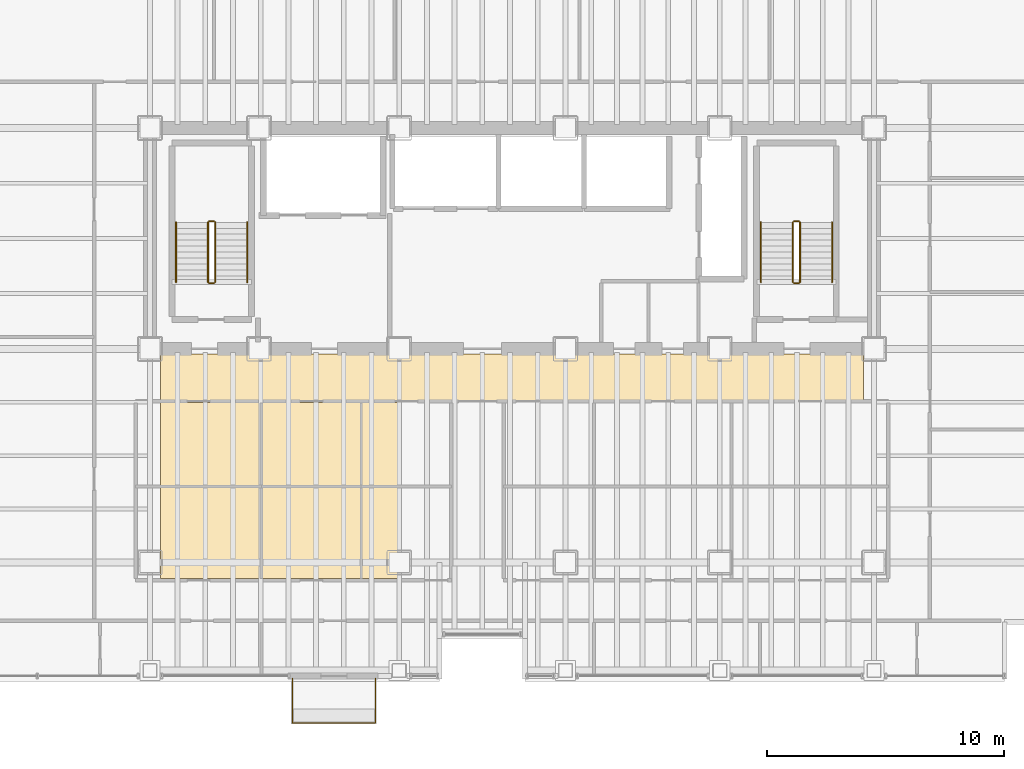
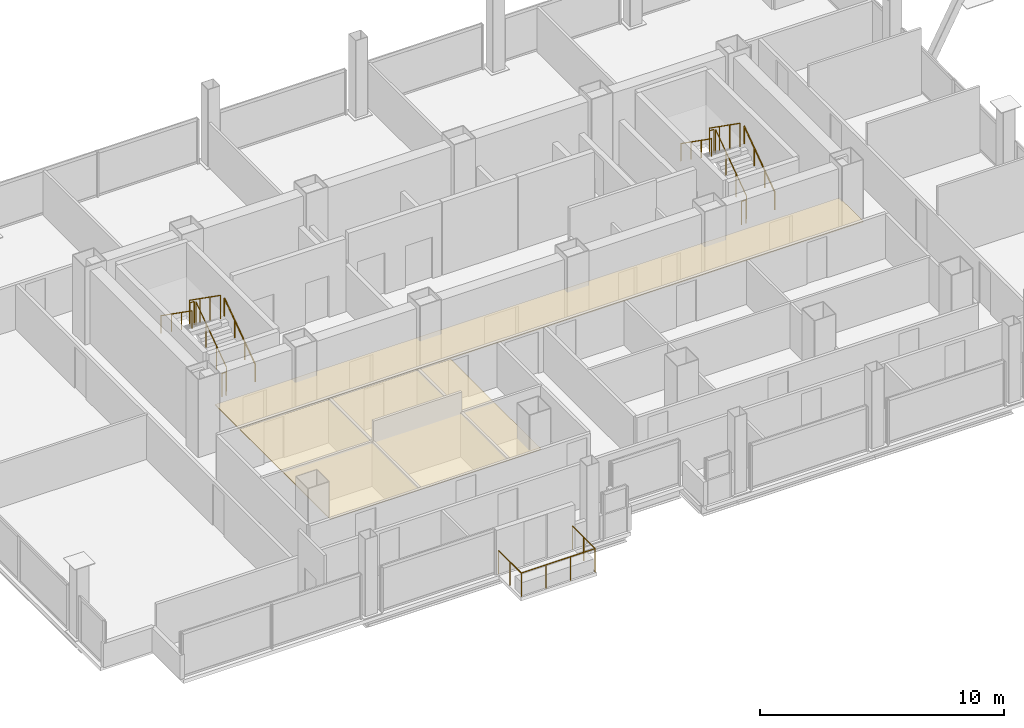
# One storey, part 21 of 21: 13 railings, 2 coverings.
"""IFC4 building model written with IfcOpenShell, lengths in metres."""

from ifc_helpers import new_model, si_unit, direction, frame, origin, origin_2d, place, context, subcontext, project, spatial, polyline, circle, outline, extrude, material, layer, layer_set, type_object, element, save


model = new_model("IFC4")

# Units and contexts
model_context = context("Model", 3, precision=1e-05, world=origin(), true_north=direction((0.0, 1.0)))
body_context = subcontext(model_context, "Body", "Model", "MODEL_VIEW")
ifc_project = project(units=[si_unit("LENGTHUNIT", "METRE"), si_unit("AREAUNIT", "SQUARE_METRE"), si_unit("VOLUMEUNIT", "CUBIC_METRE"), si_unit("PLANEANGLEUNIT", "RADIAN"), si_unit("MASSUNIT", "GRAM", prefix="KILO")], contexts=[model_context])

# Site, building, storey
site_placement = place(None, origin())
site = spatial("IfcSite", under=ifc_project, at=site_placement, CompositionType="ELEMENT")
building_placement = place(site_placement, origin())
building = spatial("IfcBuilding", under=site, at=building_placement, Name="Noeulbin Bourse Tower", CompositionType="ELEMENT")
storey_placement = place(building_placement, frame((0.0, 0.0, 49.89990234375)))
storey = spatial("IfcBuildingStorey", under=building, at=storey_placement, Name="L12", CompositionType="ELEMENT", Elevation=49.89990234375)

# Coverings
ifc_material_1 = material(Name="Perforated Mineral-Fibre Acoustic Tile")
ifc_layer_1 = layer(ifc_material_1, 0.0400390625)
ifc_layer_set_1 = layer_set([ifc_layer_1], Name="Perforated Mineral-Fibre Acoustic Tile")
covering_type = type_object("IfcCoveringType", Name="COV-CEIL-ACT", PredefinedType="CEILING", material=ifc_layer_set_1)
covering_1_placement = place(storey_placement, frame((0.0, 0.0, 2.110107421875)))
element("IfcCovering", 1, at=covering_1_placement, inside=storey, type_object=covering_type, Name="Corridor Suspended Ceiling L12", PredefinedType="CEILING", context=body_context, shape_type="SweptSolid", body=[
    extrude(outline(polyline([(13.949951171875, 26.820068359375), (43.550048828125, 26.820068359375), (43.550048828125, 28.780029296875), (13.949951171875, 28.780029296875), (13.949951171875, 26.820068359375)])), origin(), (0.0, 0.0, 1.0), 0.0400390625),
])
covering_2_placement = place(storey_placement, frame((0.0, 0.0, 2.110107421875)))
element("IfcCovering", 2, at=covering_2_placement, inside=storey, type_object=covering_type, Name="Trading Suite Acoustic Ceiling L12", PredefinedType="CEILING", context=body_context, shape_type="SweptSolid", body=[
    extrude(outline(polyline([(13.949951171875, 19.320068359375), (23.949951171875, 19.320068359375), (23.949951171875, 26.75), (13.949951171875, 26.75), (13.949951171875, 19.320068359375)])), origin(), (0.0, 0.0, 1.0), 0.0400390625),
])

# Railings
ifc_material_2 = material(Name="Laminated SentryGlas and Stainless Steel 316", Category="steel")
ifc_layer_2 = layer(ifc_material_2, 0.06005859375)
ifc_layer_set_2 = layer_set([ifc_layer_2], Name="Laminated SentryGlas and Stainless Steel 316")
railing_type_1 = type_object("IfcRailingType", Name="RLG-BAL-1200", PredefinedType="BALUSTRADE", material=ifc_layer_set_2)
railing_1_placement = place(storey_placement, frame((19.5, 15.1201171875, 0.0)))
element("IfcRailing", 3, at=railing_1_placement, inside=storey, type_object=railing_type_1, Name="Tree-Balcony Glazed Balustrade L12", PredefinedType="BALUSTRADE", context=body_context, shape_type="SweptSolid", body=[
    extrude(circle(Radius=0.02392578125, at=origin_2d()), frame((0.0, 0.0, 1.17578125), z_axis=(0.0, -1.0, 0.0), x_axis=(1.0, 0.0, 0.0)), (0.0, 0.0, 1.0), 1.8701171875),
    extrude(circle(Radius=0.02392578125, at=origin_2d()), frame((0.0, -1.8701171875, 1.17578125), z_axis=(1.0, 0.0, 0.0), x_axis=(0.0, 1.0, 0.0)), (0.0, 0.0, 1.0), 3.5),
    extrude(circle(Radius=0.02392578125, at=origin_2d()), frame((3.5, -1.8701171875, 1.17578125), z_axis=(0.0, 1.0, 0.0), x_axis=(-1.0, 0.0, 0.0)), (0.0, 0.0, 1.0), 1.8701171875),
    extrude(circle(Radius=0.02099609375, at=origin_2d()), origin(), (0.0, 0.0, 1.0), 1.15185546875),
    extrude(circle(Radius=0.02099609375, at=origin_2d()), frame((0.0, -0.93505859375, 0.0)), (0.0, 0.0, 1.0), 1.15185546875),
    extrude(circle(Radius=0.02099609375, at=origin_2d()), frame((0.0, -1.8701171875, 0.0)), (0.0, 0.0, 1.0), 1.15185546875),
    extrude(circle(Radius=0.02099609375, at=origin_2d()), frame((1.166748046875, -1.8701171875, 0.0)), (0.0, 0.0, 1.0), 1.15185546875),
    extrude(circle(Radius=0.02099609375, at=origin_2d()), frame((2.333251953125, -1.8701171875, 0.0)), (0.0, 0.0, 1.0), 1.15185546875),
    extrude(circle(Radius=0.02099609375, at=origin_2d()), frame((3.5, -1.8701171875, 0.0)), (0.0, 0.0, 1.0), 1.15185546875),
    extrude(circle(Radius=0.02099609375, at=origin_2d()), frame((3.5, -0.93505859375, 0.0)), (0.0, 0.0, 1.0), 1.15185546875),
    extrude(circle(Radius=0.02099609375, at=origin_2d()), frame((3.5, 0.0, 0.0)), (0.0, 0.0, 1.0), 1.15185546875),
])
ifc_material_3 = material(Name="Painted Tubular Steel S355", Category="steel")
ifc_layer_3 = layer(ifc_material_3, 0.048095703125)
ifc_layer_set_3 = layer_set([ifc_layer_3], Name="Painted Tubular Steel S355")
railing_type_2 = type_object("IfcRailingType", Name="RLG-STR-GRD", PredefinedType="GUARDRAIL", material=ifc_layer_set_3)
railing_2_placement = place(storey_placement, frame((16.25, 31.81005859375, 0.177490234375)))
element("IfcRailing", 4, at=railing_2_placement, inside=storey, type_object=railing_type_2, Name="L12 ST-1 stair guard 1", PredefinedType="GUARDRAIL", context=body_context, shape_type="SweptSolid", body=[
    extrude(circle(Radius=0.02392578125, at=origin_2d()), frame((0.0, 0.0, 1.17578125), z_axis=(0.0, 0.817904474719, 0.575354039036), x_axis=(-1.0, 0.0, 0.0)), (0.0, 0.0, 1.0), 3.0810546875),
    extrude(circle(Radius=0.02099609375, at=origin_2d()), origin(), (0.0, 0.0, 1.0), 1.15185546875),
    extrude(circle(Radius=0.02099609375, at=origin_2d()), frame((0.0, 0.840087890625, 0.5908203125)), (0.0, 0.0, 1.0), 1.15185546875),
    extrude(circle(Radius=0.02099609375, at=origin_2d()), frame((0.0, 1.679931640625, 1.181884765625)), (0.0, 0.0, 1.0), 1.15185546875),
    extrude(circle(Radius=0.02099609375, at=origin_2d()), frame((0.0, 2.52001953125, 1.772705078125)), (0.0, 0.0, 1.0), 1.15185546875),
])
railing_3_placement = place(storey_placement, frame((16.199951171875, 34.3798828125, 1.9501953125)))
element("IfcRailing", 5, at=railing_3_placement, inside=storey, type_object=railing_type_2, Name="L12 ST-1 stair guard 2", PredefinedType="GUARDRAIL", context=body_context, shape_type="SweptSolid", body=[
    extrude(circle(Radius=0.02392578125, at=origin_2d()), frame((0.0, 0.0, 1.17578125), z_axis=(-1.0, 0.0, 0.0), x_axis=(0.0, -1.0, 0.0)), (0.0, 0.0, 1.0), 0.199951171875),
    extrude(circle(Radius=0.02099609375, at=origin_2d()), origin(), (0.0, 0.0, 1.0), 1.15185546875),
    extrude(circle(Radius=0.02099609375, at=origin_2d()), frame((-0.199951171875, 0.0, 0.0)), (0.0, 0.0, 1.0), 1.15185546875),
])
railing_4_placement = place(storey_placement, frame((15.949951171875, 34.330078125, 2.12744140625)))
element("IfcRailing", 6, at=railing_4_placement, inside=storey, type_object=railing_type_2, Name="L12 ST-1 stair guard 3", PredefinedType="GUARDRAIL", context=body_context, shape_type="SweptSolid", body=[
    extrude(circle(Radius=0.02392578125, at=origin_2d()), frame((0.0, 0.0, 1.17578125), z_axis=(0.0, -0.817904474719, 0.575354039036), x_axis=(1.0, 0.0, 0.0)), (0.0, 0.0, 1.0), 3.0810546875),
    extrude(circle(Radius=0.02099609375, at=origin_2d()), origin(), (0.0, 0.0, 1.0), 1.15185546875),
    extrude(circle(Radius=0.02099609375, at=origin_2d()), frame((0.0, -0.840087890625, 0.5908203125)), (0.0, 0.0, 1.0), 1.15185546875),
    extrude(circle(Radius=0.02099609375, at=origin_2d()), frame((0.0, -1.679931640625, 1.181884765625)), (0.0, 0.0, 1.0), 1.15185546875),
    extrude(circle(Radius=0.02099609375, at=origin_2d()), frame((0.0, -2.52001953125, 1.772705078125)), (0.0, 0.0, 1.0), 1.15185546875),
])
railing_5_placement = place(storey_placement, frame((16.199951171875, 31.760009765625, 0.0)))
element("IfcRailing", 7, at=railing_5_placement, inside=storey, type_object=railing_type_2, Name="L12 ST-1 stair guard 4", PredefinedType="GUARDRAIL", context=body_context, shape_type="SweptSolid", body=[
    extrude(circle(Radius=0.02392578125, at=origin_2d()), frame((0.0, 0.0, 1.17578125), z_axis=(-1.0, 0.0, 0.0), x_axis=(0.0, -1.0, 0.0)), (0.0, 0.0, 1.0), 0.199951171875),
    extrude(circle(Radius=0.02099609375, at=origin_2d()), origin(), (0.0, 0.0, 1.0), 1.15185546875),
    extrude(circle(Radius=0.02099609375, at=origin_2d()), frame((-0.199951171875, 0.0, 0.0)), (0.0, 0.0, 1.0), 1.15185546875),
])
railing_6_placement = place(storey_placement, frame((40.8798828125, 31.81005859375, 0.177490234375)))
element("IfcRailing", 8, at=railing_6_placement, inside=storey, type_object=railing_type_2, Name="L12 ST-2 stair guard 1", PredefinedType="GUARDRAIL", context=body_context, shape_type="SweptSolid", body=[
    extrude(circle(Radius=0.02392578125, at=origin_2d()), frame((0.0, 0.0, 1.17578125), z_axis=(0.0, 0.817904474719, 0.575354039036), x_axis=(-1.0, 0.0, 0.0)), (0.0, 0.0, 1.0), 3.0810546875),
    extrude(circle(Radius=0.02099609375, at=origin_2d()), origin(), (0.0, 0.0, 1.0), 1.15185546875),
    extrude(circle(Radius=0.02099609375, at=origin_2d()), frame((0.0, 0.840087890625, 0.5908203125)), (0.0, 0.0, 1.0), 1.15185546875),
    extrude(circle(Radius=0.02099609375, at=origin_2d()), frame((0.0, 1.679931640625, 1.181884765625)), (0.0, 0.0, 1.0), 1.15185546875),
    extrude(circle(Radius=0.02099609375, at=origin_2d()), frame((0.0, 2.52001953125, 1.772705078125)), (0.0, 0.0, 1.0), 1.15185546875),
])
railing_7_placement = place(storey_placement, frame((40.830078125, 34.3798828125, 1.9501953125)))
element("IfcRailing", 9, at=railing_7_placement, inside=storey, type_object=railing_type_2, Name="L12 ST-2 stair guard 2", PredefinedType="GUARDRAIL", context=body_context, shape_type="SweptSolid", body=[
    extrude(circle(Radius=0.02392578125, at=origin_2d()), frame((0.0, 0.0, 1.17578125), z_axis=(-1.0, 0.0, 0.0), x_axis=(0.0, -1.0, 0.0)), (0.0, 0.0, 1.0), 0.2001953125),
    extrude(circle(Radius=0.02099609375, at=origin_2d()), origin(), (0.0, 0.0, 1.0), 1.15185546875),
    extrude(circle(Radius=0.02099609375, at=origin_2d()), frame((-0.2001953125, 0.0, 0.0)), (0.0, 0.0, 1.0), 1.15185546875),
])
railing_8_placement = place(storey_placement, frame((40.580078125, 34.330078125, 2.12744140625)))
element("IfcRailing", 10, at=railing_8_placement, inside=storey, type_object=railing_type_2, Name="L12 ST-2 stair guard 3", PredefinedType="GUARDRAIL", context=body_context, shape_type="SweptSolid", body=[
    extrude(circle(Radius=0.02392578125, at=origin_2d()), frame((0.0, 0.0, 1.17578125), z_axis=(0.0, -0.817904474719, 0.575354039036), x_axis=(1.0, 0.0, 0.0)), (0.0, 0.0, 1.0), 3.0810546875),
    extrude(circle(Radius=0.02099609375, at=origin_2d()), origin(), (0.0, 0.0, 1.0), 1.15185546875),
    extrude(circle(Radius=0.02099609375, at=origin_2d()), frame((0.0, -0.840087890625, 0.5908203125)), (0.0, 0.0, 1.0), 1.15185546875),
    extrude(circle(Radius=0.02099609375, at=origin_2d()), frame((0.0, -1.679931640625, 1.181884765625)), (0.0, 0.0, 1.0), 1.15185546875),
    extrude(circle(Radius=0.02099609375, at=origin_2d()), frame((0.0, -2.52001953125, 1.772705078125)), (0.0, 0.0, 1.0), 1.15185546875),
])
railing_9_placement = place(storey_placement, frame((40.830078125, 31.760009765625, 0.0)))
element("IfcRailing", 11, at=railing_9_placement, inside=storey, type_object=railing_type_2, Name="L12 ST-2 stair guard 4", PredefinedType="GUARDRAIL", context=body_context, shape_type="SweptSolid", body=[
    extrude(circle(Radius=0.02392578125, at=origin_2d()), frame((0.0, 0.0, 1.17578125), z_axis=(-1.0, 0.0, 0.0), x_axis=(0.0, -1.0, 0.0)), (0.0, 0.0, 1.0), 0.2001953125),
    extrude(circle(Radius=0.02099609375, at=origin_2d()), origin(), (0.0, 0.0, 1.0), 1.15185546875),
    extrude(circle(Radius=0.02099609375, at=origin_2d()), frame((-0.2001953125, 0.0, 0.0)), (0.0, 0.0, 1.0), 1.15185546875),
])
ifc_material_4 = material(Name="Brushed Stainless Steel 316", Category="steel")
ifc_layer_4 = layer(ifc_material_4, 0.048095703125)
ifc_layer_set_4 = layer_set([ifc_layer_4], Name="Brushed Stainless Steel 316")
railing_type_3 = type_object("IfcRailingType", Name="RLG-STR-HND", PredefinedType="HANDRAIL", material=ifc_layer_set_4)
railing_10_placement = place(storey_placement, frame((17.60009765625, 31.81005859375, 0.177490234375)))
element("IfcRailing", 12, at=railing_10_placement, inside=storey, type_object=railing_type_3, Name="L12 ST-1 stair handrail 1", PredefinedType="HANDRAIL", context=body_context, shape_type="SweptSolid", body=[
    extrude(circle(Radius=0.02392578125, at=origin_2d()), frame((0.0, 0.0, 0.8759765625), z_axis=(0.0, 0.817904474719, 0.575354039036), x_axis=(-1.0, 0.0, 0.0)), (0.0, 0.0, 1.0), 3.0810546875),
    extrude(circle(Radius=0.02099609375, at=origin_2d()), origin(), (0.0, 0.0, 1.0), 0.851806640625),
    extrude(circle(Radius=0.02099609375, at=origin_2d()), frame((0.0, 0.840087890625, 0.5908203125)), (0.0, 0.0, 1.0), 0.851806640625),
    extrude(circle(Radius=0.02099609375, at=origin_2d()), frame((0.0, 1.679931640625, 1.181884765625)), (0.0, 0.0, 1.0), 0.851806640625),
    extrude(circle(Radius=0.02099609375, at=origin_2d()), frame((0.0, 2.52001953125, 1.772705078125)), (0.0, 0.0, 1.0), 0.851806640625),
])
railing_11_placement = place(storey_placement, frame((14.60009765625, 34.330078125, 2.12744140625)))
element("IfcRailing", 13, at=railing_11_placement, inside=storey, type_object=railing_type_3, Name="L12 ST-1 stair handrail 2", PredefinedType="HANDRAIL", context=body_context, shape_type="SweptSolid", body=[
    extrude(circle(Radius=0.02392578125, at=origin_2d()), frame((0.0, 0.0, 0.8759765625), z_axis=(0.0, -0.817904474719, 0.575354039036), x_axis=(1.0, 0.0, 0.0)), (0.0, 0.0, 1.0), 3.0810546875),
    extrude(circle(Radius=0.02099609375, at=origin_2d()), origin(), (0.0, 0.0, 1.0), 0.851806640625),
    extrude(circle(Radius=0.02099609375, at=origin_2d()), frame((0.0, -0.840087890625, 0.5908203125)), (0.0, 0.0, 1.0), 0.851806640625),
    extrude(circle(Radius=0.02099609375, at=origin_2d()), frame((0.0, -1.679931640625, 1.181884765625)), (0.0, 0.0, 1.0), 0.851806640625),
    extrude(circle(Radius=0.02099609375, at=origin_2d()), frame((0.0, -2.52001953125, 1.772705078125)), (0.0, 0.0, 1.0), 0.851806640625),
])
railing_12_placement = place(storey_placement, frame((42.22998046875, 31.81005859375, 0.177490234375)))
element("IfcRailing", 14, at=railing_12_placement, inside=storey, type_object=railing_type_3, Name="L12 ST-2 stair handrail 1", PredefinedType="HANDRAIL", context=body_context, shape_type="SweptSolid", body=[
    extrude(circle(Radius=0.02392578125, at=origin_2d()), frame((0.0, 0.0, 0.8759765625), z_axis=(0.0, 0.817904474719, 0.575354039036), x_axis=(-1.0, 0.0, 0.0)), (0.0, 0.0, 1.0), 3.0810546875),
    extrude(circle(Radius=0.02099609375, at=origin_2d()), origin(), (0.0, 0.0, 1.0), 0.851806640625),
    extrude(circle(Radius=0.02099609375, at=origin_2d()), frame((0.0, 0.840087890625, 0.5908203125)), (0.0, 0.0, 1.0), 0.851806640625),
    extrude(circle(Radius=0.02099609375, at=origin_2d()), frame((0.0, 1.679931640625, 1.181884765625)), (0.0, 0.0, 1.0), 0.851806640625),
    extrude(circle(Radius=0.02099609375, at=origin_2d()), frame((0.0, 2.52001953125, 1.772705078125)), (0.0, 0.0, 1.0), 0.851806640625),
])
railing_13_placement = place(storey_placement, frame((39.22998046875, 34.330078125, 2.12744140625)))
element("IfcRailing", 15, at=railing_13_placement, inside=storey, type_object=railing_type_3, Name="L12 ST-2 stair handrail 2", PredefinedType="HANDRAIL", context=body_context, shape_type="SweptSolid", body=[
    extrude(circle(Radius=0.02392578125, at=origin_2d()), frame((0.0, 0.0, 0.8759765625), z_axis=(0.0, -0.817904474719, 0.575354039036), x_axis=(1.0, 0.0, 0.0)), (0.0, 0.0, 1.0), 3.0810546875),
    extrude(circle(Radius=0.02099609375, at=origin_2d()), origin(), (0.0, 0.0, 1.0), 0.851806640625),
    extrude(circle(Radius=0.02099609375, at=origin_2d()), frame((0.0, -0.840087890625, 0.5908203125)), (0.0, 0.0, 1.0), 0.851806640625),
    extrude(circle(Radius=0.02099609375, at=origin_2d()), frame((0.0, -1.679931640625, 1.181884765625)), (0.0, 0.0, 1.0), 0.851806640625),
    extrude(circle(Radius=0.02099609375, at=origin_2d()), frame((0.0, -2.52001953125, 1.772705078125)), (0.0, 0.0, 1.0), 0.851806640625),
])

save(model, "model.ifc")
